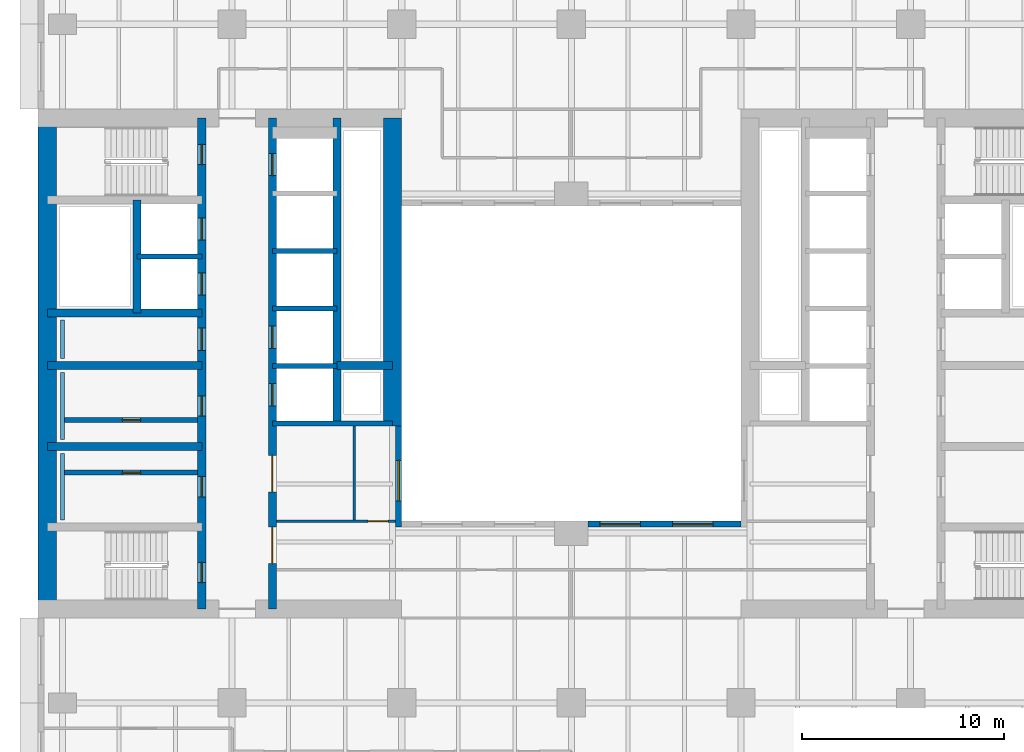
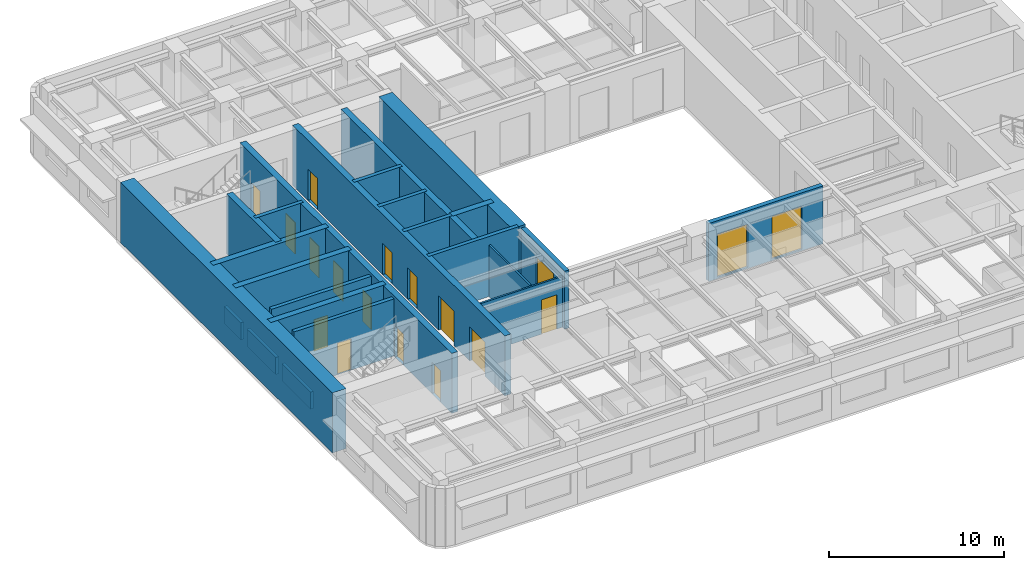
# One storey, part 4 of 11: 24 walls, 15 doors, 3 windows, 18 openings.
"""IFC4 building model written with IfcOpenShell, lengths in metres."""

from ifc_helpers import new_model, si_unit, direction, frame, frame_2d, origin, place, context, subcontext, project, spatial, rectangle, extrude, material, layer, layer_set, type_object, element, fill, save


model = new_model("IFC4")

# Units and contexts
model_context = context("Model", 3, precision=1e-05, world=origin(), true_north=direction((0.0, 1.0)))
body_context = subcontext(model_context, "Body", "Model", "MODEL_VIEW")
ifc_project = project(units=[si_unit("LENGTHUNIT", "METRE"), si_unit("AREAUNIT", "SQUARE_METRE"), si_unit("VOLUMEUNIT", "CUBIC_METRE"), si_unit("PLANEANGLEUNIT", "RADIAN"), si_unit("MASSUNIT", "GRAM", prefix="KILO")], contexts=[model_context])

# Site, building, storey
site_placement = place(None, origin())
site = spatial("IfcSite", under=ifc_project, at=site_placement, CompositionType="ELEMENT")
building_placement = place(site_placement, origin())
building = spatial("IfcBuilding", under=site, at=building_placement, Name="Claustro Exchange Tower", CompositionType="ELEMENT")
storey_placement = place(building_placement, frame((0.0, 0.0, 121.800048828125)))
storey = spatial("IfcBuildingStorey", under=building, at=storey_placement, Name="L27", CompositionType="ELEMENT", Elevation=121.800048828125)

# Wall, opening, door
ifc_material_1 = material(Name="Laminated glass in aluminium frame", Category="aluminium")
ifc_layer_1 = layer(ifc_material_1, 0.1201171875)
ifc_layer_set_1 = layer_set([ifc_layer_1], Name="Laminated glass in aluminium frame")
wall_type_1 = type_object("IfcWallType", Name="P2 120 glazed partition", PredefinedType="PARTITIONING", material=ifc_layer_set_1)
wall_1_placement = place(storey_placement, frame((10.597900390625, 17.39990234375, 0.0), z_axis=(0.0, 0.0, 1.0), x_axis=(1.0, 0.0, 0.0)))
wall_1 = element("IfcWall", 1, at=wall_1_placement, inside=storey, type_object=wall_type_1, Name="Partition P2 L27", PredefinedType="PARTITIONING", context=body_context, shape_type="SweptSolid", body=[
    extrude(rectangle(XDim=5.904052734375, YDim=0.1201171875, at=frame_2d((2.9521484375, 0.0))), origin(), (0.0, 0.0, 1.0), 3.550048828125),
])
opening_1_placement = place(wall_1_placement, frame((4.52392578125, 0.0, 0.0)))
opening_1 = element("IfcOpeningElement", 2, at=opening_1_placement, cuts=wall_1, Name="Opening D7", PredefinedType="OPENING", context=body_context, shape_type="SweptSolid", body=[
    extrude(rectangle(XDim=1.0, YDim=2.39990234375, at=frame_2d((0.5, 1.199951171875))), frame((0.0, 0.070068359375, 0.0), z_axis=(0.0, -1.0, 0.0), x_axis=(1.0, 0.0, 0.0)), (0.0, 0.0, 1.0), 0.14013671875),
])
ifc_material_2 = material(Name="Glass door in aluminium frame", Category="aluminium")
door_type_1 = type_object("IfcDoorType", Name="D7 1000 x 2400 glazed door", OperationType="SINGLE_SWING_LEFT", PredefinedType="DOOR", material=ifc_material_2)
door_1_placement = place(opening_1_placement, origin())
door_1 = element("IfcDoor", 3, at=door_1_placement, inside=storey, type_object=door_type_1, Name="Door D7 L27", OperationType="SINGLE_SWING_LEFT", OverallHeight=2.39990234375, OverallWidth=1.0, PredefinedType="DOOR", context=body_context, shape_type="SweptSolid", body=[
    extrude(rectangle(XDim=1.0, YDim=2.39990234375, at=frame_2d((0.5, 1.199951171875))), frame((0.0, 0.02490234375, 0.0), z_axis=(0.0, -1.0, 0.0), x_axis=(1.0, 0.0, 0.0)), (0.0, 0.0, 1.0), 0.050048828125),
])
fill(opening_1, door_1)

# Wall
wall_2_placement = place(storey_placement, frame((14.444091796875, 17.4580078125, 0.0), z_axis=(0.0, 0.0, 1.0), x_axis=(0.0, 1.0, 0.0)))
element("IfcWall", 4, at=wall_2_placement, inside=storey, type_object=wall_type_1, Name="Partition P2 L27", PredefinedType="PARTITIONING", context=body_context, shape_type="SweptSolid", body=[
    extrude(rectangle(XDim=4.64404296875, YDim=0.1201171875, at=frame_2d((2.322021484375, 0.0))), origin(), (0.0, 0.0, 1.0), 3.599853515625),
])

# Wall, opening, door
ifc_material_3 = material(Name="Concrete blockwork, rendered", Category="masonry")
ifc_layer_2 = layer(ifc_material_3, 0.25)
ifc_layer_set_2 = layer_set([ifc_layer_2], Name="Concrete blockwork, rendered")
wall_type_2 = type_object("IfcWallType", Name="P4 250 blockwork wall", PredefinedType="PARTITIONING", material=ifc_layer_set_2)
wall_3_placement = place(storey_placement, frame((0.10009765625, 22.39990234375, 0.0), z_axis=(0.0, 0.0, 1.0), x_axis=(1.0, 0.0, 0.0)))
wall_3 = element("IfcWall", 5, at=wall_3_placement, inside=storey, type_object=wall_type_2, Name="Partition P4 L27", PredefinedType="PARTITIONING", context=body_context, shape_type="SweptSolid", body=[
    extrude(rectangle(XDim=6.599853515625, YDim=0.25, at=frame_2d((3.2998046875, 0.0))), origin(), (0.0, 0.0, 1.0), 4.0),
])
opening_2_placement = place(wall_3_placement, frame((2.875, 0.0, 0.0)))
opening_2 = element("IfcOpeningElement", 6, at=opening_2_placement, cuts=wall_3, Name="Opening D5", PredefinedType="OPENING", context=body_context, shape_type="SweptSolid", body=[
    extrude(rectangle(XDim=0.89990234375, YDim=2.199951171875, at=frame_2d((0.449951171875, 1.10009765625))), frame((0.0, 0.135009765625, 0.0), z_axis=(0.0, -1.0, 0.0), x_axis=(1.0, 0.0, 0.0)), (0.0, 0.0, 1.0), 0.27001953125),
])
ifc_material_4 = material(Name="Steel door, painted", Category="steel")
door_type_2 = type_object("IfcDoorType", Name="D5 900 x 2200 store door", OperationType="SINGLE_SWING_LEFT", PredefinedType="DOOR", material=ifc_material_4)
door_2_placement = place(opening_2_placement, frame((0.89990234375, 0.0, 0.0), z_axis=(0.0, 0.0, 1.0), x_axis=(-1.0, 0.0, 0.0)))
door_2 = element("IfcDoor", 7, at=door_2_placement, inside=storey, type_object=door_type_2, Name="Store door D5 L27", OperationType="SINGLE_SWING_RIGHT", OverallHeight=2.199951171875, OverallWidth=0.89990234375, PredefinedType="DOOR", context=body_context, shape_type="SweptSolid", body=[
    extrude(rectangle(XDim=0.89990234375, YDim=2.199951171875, at=frame_2d((0.449951171875, 1.10009765625))), frame((0.0, 0.02490234375, 0.0), z_axis=(0.0, -1.0, 0.0), x_axis=(1.0, 0.0, 0.0)), (0.0, 0.0, 1.0), 0.050048828125),
])
fill(opening_2, door_2)

wall_4_placement = place(storey_placement, frame((0.10009765625, 19.800048828125, 0.0), z_axis=(0.0, 0.0, 1.0), x_axis=(1.0, 0.0, 0.0)))
wall_4 = element("IfcWall", 8, at=wall_4_placement, inside=storey, type_object=wall_type_2, Name="Partition P4 L27", PredefinedType="PARTITIONING", context=body_context, shape_type="SweptSolid", body=[
    extrude(rectangle(XDim=6.599853515625, YDim=0.25, at=frame_2d((3.2998046875, 0.0))), origin(), (0.0, 0.0, 1.0), 4.0),
])
opening_3_placement = place(wall_4_placement, frame((2.875, 0.0, 0.0)))
opening_3 = element("IfcOpeningElement", 9, at=opening_3_placement, cuts=wall_4, Name="Opening D5", PredefinedType="OPENING", context=body_context, shape_type="SweptSolid", body=[
    extrude(rectangle(XDim=0.89990234375, YDim=2.199951171875, at=frame_2d((0.449951171875, 1.10009765625))), frame((0.0, 0.135009765625, 0.0), z_axis=(0.0, -1.0, 0.0), x_axis=(1.0, 0.0, 0.0)), (0.0, 0.0, 1.0), 0.27001953125),
])
door_3_placement = place(opening_3_placement, origin())
door_3 = element("IfcDoor", 10, at=door_3_placement, inside=storey, type_object=door_type_2, Name="Store door D5 L27", OperationType="SINGLE_SWING_LEFT", OverallHeight=2.199951171875, OverallWidth=0.89990234375, PredefinedType="DOOR", context=body_context, shape_type="SweptSolid", body=[
    extrude(rectangle(XDim=0.89990234375, YDim=2.199951171875, at=frame_2d((0.449951171875, 1.10009765625))), frame((0.0, 0.02490234375, 0.0), z_axis=(0.0, -1.0, 0.0), x_axis=(1.0, 0.0, 0.0)), (0.0, 0.0, 1.0), 0.050048828125),
])
fill(opening_3, door_3)

# Wall, opening, window
ifc_material_5 = material(Name="Concrete HA-40 (C40/50), precast, white cement, acid-etched", Category="concrete")
ifc_layer_3 = layer(ifc_material_5, 0.300048828125)
ifc_layer_set_3 = layer_set([ifc_layer_3], Name="Concrete HA-40 (C40/50), precast, white cement, acid-etched")
wall_type_3 = type_object("IfcWallType", Name="PC1 300 precast concrete pier panel", PredefinedType="SOLIDWALL", material=ifc_layer_set_3)
wall_5_placement = place(storey_placement, frame((16.64990234375, 17.10009765625, 0.0), z_axis=(0.0, 0.0, 1.0), x_axis=(0.0, 1.0, 0.0)))
wall_5 = element("IfcWall", 11, at=wall_5_placement, inside=storey, type_object=wall_type_3, Name="Precast pier panel PC1 L27", PredefinedType="SOLIDWALL", context=body_context, shape_type="SweptSolid", body=[
    extrude(rectangle(XDim=5.0, YDim=0.300048828125, at=frame_2d((2.5, 0.0))), origin(), (0.0, 0.0, 1.0), 4.050048828125),
])
opening_4_placement = place(wall_5_placement, frame((1.300048828125, 0.0, 0.10009765625)))
opening_4 = element("IfcOpeningElement", 12, at=opening_4_placement, cuts=wall_5, Name="Opening W-A", PredefinedType="OPENING", context=body_context, shape_type="SweptSolid", body=[
    extrude(rectangle(XDim=2.0, YDim=3.0, at=frame_2d((1.0, 1.5))), frame((0.0, 0.159912109375, 0.0), z_axis=(0.0, -1.0, 0.0), x_axis=(1.0, 0.0, 0.0)), (0.0, 0.0, 1.0), 0.320068359375),
])
ifc_material_6 = material(Name="Aluminium frame, clear double glazing", Category="aluminium")
window_type = type_object("IfcWindowType", Name="W-A 2000 x 3000 arcade window", PartitioningType="SINGLE_PANEL", PredefinedType="WINDOW", material=ifc_material_6)
window_1_placement = place(opening_4_placement, origin())
window_1 = element("IfcWindow", 13, at=window_1_placement, inside=storey, type_object=window_type, Name="Window W-A L27", OverallHeight=3.0, OverallWidth=2.0, PartitioningType="SINGLE_PANEL", PredefinedType="WINDOW", context=body_context, shape_type="SweptSolid", body=[
    extrude(rectangle(XDim=2.0, YDim=3.0, at=frame_2d((1.0, 1.5))), frame((0.0, 0.030029296875, 0.0), z_axis=(0.0, -1.0, 0.0), x_axis=(1.0, 0.0, 0.0)), (0.0, 0.0, 1.0), 0.06005859375),
])
fill(opening_4, window_1)

# Wall, openings, windows
wall_6_placement = place(storey_placement, frame((26.02490234375, 17.25, 0.0), z_axis=(0.0, 0.0, 1.0), x_axis=(1.0, 0.0, 0.0)))
wall_6 = element("IfcWall", 14, at=wall_6_placement, inside=storey, type_object=wall_type_3, Name="Precast pier panel PC1 L27", PredefinedType="SOLIDWALL", context=body_context, shape_type="SweptSolid", body=[
    extrude(rectangle(XDim=7.5751953125, YDim=0.300048828125, at=frame_2d((3.78759765625, 0.0))), origin(), (0.0, 0.0, 1.0), 4.050048828125),
])
opening_5_placement = place(wall_6_placement, frame((0.58740234375, 0.0, 0.10009765625)))
opening_5 = element("IfcOpeningElement", 15, at=opening_5_placement, cuts=wall_6, Name="Opening W-A", PredefinedType="OPENING", context=body_context, shape_type="SweptSolid", body=[
    extrude(rectangle(XDim=2.0, YDim=3.0, at=frame_2d((1.0, 1.5))), frame((0.0, 0.159912109375, 0.0), z_axis=(0.0, -1.0, 0.0), x_axis=(1.0, 0.0, 0.0)), (0.0, 0.0, 1.0), 0.320068359375),
])
opening_6_placement = place(wall_6_placement, frame((4.1875, 0.0, 0.10009765625)))
opening_6 = element("IfcOpeningElement", 16, at=opening_6_placement, cuts=wall_6, Name="Opening W-A", PredefinedType="OPENING", context=body_context, shape_type="SweptSolid", body=[
    extrude(rectangle(XDim=2.0, YDim=3.0, at=frame_2d((1.0, 1.5))), frame((0.0, 0.159912109375, 0.0), z_axis=(0.0, -1.0, 0.0), x_axis=(1.0, 0.0, 0.0)), (0.0, 0.0, 1.0), 0.320068359375),
])
window_2_placement = place(opening_5_placement, origin())
window_2 = element("IfcWindow", 17, at=window_2_placement, inside=storey, type_object=window_type, Name="Window W-A L27", OverallHeight=3.0, OverallWidth=2.0, PartitioningType="SINGLE_PANEL", PredefinedType="WINDOW", context=body_context, shape_type="SweptSolid", body=[
    extrude(rectangle(XDim=2.0, YDim=3.0, at=frame_2d((1.0, 1.5))), frame((0.0, 0.030029296875, 0.0), z_axis=(0.0, -1.0, 0.0), x_axis=(1.0, 0.0, 0.0)), (0.0, 0.0, 1.0), 0.06005859375),
])
fill(opening_5, window_2)
window_3_placement = place(opening_6_placement, origin())
window_3 = element("IfcWindow", 18, at=window_3_placement, inside=storey, type_object=window_type, Name="Window W-A L27", OverallHeight=3.0, OverallWidth=2.0, PartitioningType="SINGLE_PANEL", PredefinedType="WINDOW", context=body_context, shape_type="SweptSolid", body=[
    extrude(rectangle(XDim=2.0, YDim=3.0, at=frame_2d((1.0, 1.5))), frame((0.0, 0.030029296875, 0.0), z_axis=(0.0, -1.0, 0.0), x_axis=(1.0, 0.0, 0.0)), (0.0, 0.0, 1.0), 0.06005859375),
])
fill(opening_6, window_3)

# Walls
ifc_material_7 = material(Name="Gypsum board on steel studs, tiled", Category="steel")
ifc_layer_4 = layer(ifc_material_7, 0.199951171875)
ifc_layer_set_4 = layer_set([ifc_layer_4], Name="Gypsum board on steel studs, tiled")
wall_type_4 = type_object("IfcWallType", Name="PW1 200 WC duct wall", PredefinedType="PLUMBINGWALL", material=ifc_layer_set_4)
for number, where, z_axis, x_axis, name in (
    (19, (0.0, 17.449951171875, 0.0), (0.0, 0.0, 1.0), (0.0, 1.0, 0.0), "WC duct wall PW1 L27"),
    (20, (0.0, 21.449951171875, 0.0), (0.0, 0.0, 1.0), (0.0, 1.0, 0.0), "WC duct wall PW1 L27"),
):
    element("IfcWall", number, at=place(storey_placement, frame(where, z_axis=z_axis, x_axis=x_axis)), inside=storey, type_object=wall_type_4, Name=name, PredefinedType="PLUMBINGWALL", context=body_context, shape_type="SweptSolid", body=[
        extrude(rectangle(XDim=3.300048828125, YDim=0.199951171875, at=frame_2d((1.64990234375, 0.0))), origin(), (0.0, 0.0, 1.0), 1.199951171875),
    ])
wall_7_placement = place(storey_placement, frame((0.0, 25.449951171875, 0.0), z_axis=(0.0, 0.0, 1.0), x_axis=(0.0, 1.0, 0.0)))
element("IfcWall", 21, at=wall_7_placement, inside=storey, type_object=wall_type_4, Name="WC duct wall PW1 L27", PredefinedType="PLUMBINGWALL", context=body_context, shape_type="SweptSolid", body=[
    extrude(rectangle(XDim=1.900146484375, YDim=0.199951171875, at=frame_2d((0.9501953125, 0.0))), origin(), (0.0, 0.0, 1.0), 1.199951171875),
])
ifc_material_8 = material(Name="Concrete HA-70 (C70/85)", Category="concrete")
ifc_layer_5 = layer(ifc_material_8, 0.89990234375)
ifc_layer_set_5 = layer_set([ifc_layer_5], Name="Concrete HA-70 (C70/85)")
wall_type_5 = type_object("IfcWallType", Name="SW1X 900 exposed core shear wall, board-marked face", PredefinedType="SHEAR", material=ifc_layer_set_5)
wall_8_placement = place(storey_placement, frame((-0.75, 13.050048828125, 0.0), z_axis=(0.0, 0.0, 1.0), x_axis=(0.0, 1.0, 0.0)))
element("IfcWall", 22, at=wall_8_placement, inside=storey, type_object=wall_type_5, Name="Core wall SW1X W core W face L27", PredefinedType="SHEAR", context=body_context, shape_type="SweptSolid", body=[
    extrude(rectangle(XDim=24.300048828125, YDim=0.89990234375, at=frame_2d((12.14990234375, 0.0))), origin(), (0.0, 0.0, 1.0), 4.199951171875),
])
wall_9_placement = place(storey_placement, frame((16.35009765625, 22.10009765625, 0.0), z_axis=(0.0, 0.0, 1.0), x_axis=(0.0, 1.0, 0.0)))
element("IfcWall", 23, at=wall_9_placement, inside=storey, type_object=wall_type_5, Name="Core wall SW1X W core E face L27", PredefinedType="SHEAR", context=body_context, shape_type="SweptSolid", body=[
    extrude(rectangle(XDim=15.25, YDim=0.89990234375, at=frame_2d((7.625, 0.0))), origin(), (0.0, 0.0, 1.0), 4.199951171875),
])

# Wall, openings, doors
ifc_material_9 = material(Name="Concrete HA-50 (C50/60)", Category="concrete")
ifc_layer_6 = layer(ifc_material_9, 0.39990234375)
ifc_layer_set_6 = layer_set([ifc_layer_6], Name="Concrete HA-50 (C50/60)")
wall_type_6 = type_object("IfcWallType", Name="SW4 400 internal core wall", PredefinedType="SHEAR", material=ifc_layer_set_6)
wall_10_placement = place(storey_placement, frame((6.89990234375, 13.050048828125, 0.0), z_axis=(0.0, 0.0, 1.0), x_axis=(0.0, 1.0, 0.0)))
wall_10 = element("IfcWall", 24, at=wall_10_placement, inside=storey, type_object=wall_type_6, Name="Internal core wall SW4 W core L27", PredefinedType="SHEAR", context=body_context, shape_type="SweptSolid", body=[
    extrude(rectangle(XDim=24.300048828125, YDim=0.39990234375, at=frame_2d((12.14990234375, 0.0))), origin(), (0.0, 0.0, 1.0), 4.199951171875),
])
opening_7_placement = place(wall_10_placement, frame((1.300048828125, 0.0, 0.0)))
opening_7 = element("IfcOpeningElement", 25, at=opening_7_placement, cuts=wall_10, Name="Opening D4", PredefinedType="OPENING", context=body_context, shape_type="SweptSolid", body=[
    extrude(rectangle(XDim=1.0, YDim=2.199951171875, at=frame_2d((0.5, 1.10009765625))), frame((0.0, 0.2099609375, 0.0), z_axis=(0.0, -1.0, 0.0), x_axis=(1.0, 0.0, 0.0)), (0.0, 0.0, 1.0), 0.419921875),
])
opening_8_placement = place(wall_10_placement, frame((22.0, 0.0, 0.0)))
opening_8 = element("IfcOpeningElement", 26, at=opening_8_placement, cuts=wall_10, Name="Opening D4", PredefinedType="OPENING", context=body_context, shape_type="SweptSolid", body=[
    extrude(rectangle(XDim=1.0, YDim=2.199951171875, at=frame_2d((0.5, 1.10009765625))), frame((0.0, 0.2099609375, 0.0), z_axis=(0.0, -1.0, 0.0), x_axis=(1.0, 0.0, 0.0)), (0.0, 0.0, 1.0), 0.419921875),
])
opening_9_placement = place(wall_10_placement, frame((5.550048828125, 0.0, 0.0)))
opening_9 = element("IfcOpeningElement", 27, at=opening_9_placement, cuts=wall_10, Name="Opening D1", PredefinedType="OPENING", context=body_context, shape_type="SweptSolid", body=[
    extrude(rectangle(XDim=1.0, YDim=2.199951171875, at=frame_2d((0.5, 1.10009765625))), frame((0.0, 0.2099609375, 0.0), z_axis=(0.0, -1.0, 0.0), x_axis=(1.0, 0.0, 0.0)), (0.0, 0.0, 1.0), 0.419921875),
])
opening_10_placement = place(wall_10_placement, frame((9.550048828125, 0.0, 0.0)))
opening_10 = element("IfcOpeningElement", 28, at=opening_10_placement, cuts=wall_10, Name="Opening D1", PredefinedType="OPENING", context=body_context, shape_type="SweptSolid", body=[
    extrude(rectangle(XDim=1.0, YDim=2.199951171875, at=frame_2d((0.5, 1.10009765625))), frame((0.0, 0.2099609375, 0.0), z_axis=(0.0, -1.0, 0.0), x_axis=(1.0, 0.0, 0.0)), (0.0, 0.0, 1.0), 0.419921875),
])
opening_11_placement = place(wall_10_placement, frame((12.800048828125, 0.0, 0.0)))
opening_11 = element("IfcOpeningElement", 29, at=opening_11_placement, cuts=wall_10, Name="Opening D10", PredefinedType="OPENING", context=body_context, shape_type="SweptSolid", body=[
    extrude(rectangle(XDim=1.10009765625, YDim=2.199951171875, at=frame_2d((0.550048828125, 1.10009765625))), frame((0.0, 0.2099609375, 0.0), z_axis=(0.0, -1.0, 0.0), x_axis=(1.0, 0.0, 0.0)), (0.0, 0.0, 1.0), 0.419921875),
])
opening_12_placement = place(wall_10_placement, frame((15.53759765625, 0.0, 0.0)))
opening_12 = element("IfcOpeningElement", 30, at=opening_12_placement, cuts=wall_10, Name="Opening LD", PredefinedType="OPENING", context=body_context, shape_type="SweptSolid", body=[
    extrude(rectangle(XDim=1.10009765625, YDim=2.199951171875, at=frame_2d((0.550048828125, 1.10009765625))), frame((0.0, 0.2099609375, 0.0), z_axis=(0.0, -1.0, 0.0), x_axis=(1.0, 0.0, 0.0)), (0.0, 0.0, 1.0), 0.419921875),
])
opening_13_placement = place(wall_10_placement, frame((18.262451171875, 0.0, 0.0)))
opening_13 = element("IfcOpeningElement", 31, at=opening_13_placement, cuts=wall_10, Name="Opening LD", PredefinedType="OPENING", context=body_context, shape_type="SweptSolid", body=[
    extrude(rectangle(XDim=1.10009765625, YDim=2.199951171875, at=frame_2d((0.550048828125, 1.10009765625))), frame((0.0, 0.2099609375, 0.0), z_axis=(0.0, -1.0, 0.0), x_axis=(1.0, 0.0, 0.0)), (0.0, 0.0, 1.0), 0.419921875),
])
ifc_material_10 = material(Name="Timber door, oak veneer", Category="wood")
door_type_3 = type_object("IfcDoorType", Name="D1 1000 x 2200 single door", OperationType="SINGLE_SWING_LEFT", PredefinedType="DOOR", material=ifc_material_10)
door_4_placement = place(opening_9_placement, origin())
door_4 = element("IfcDoor", 32, at=door_4_placement, inside=storey, type_object=door_type_3, Name="Door D1 L27", OperationType="SINGLE_SWING_RIGHT", OverallHeight=2.199951171875, OverallWidth=1.0, PredefinedType="DOOR", context=body_context, shape_type="SweptSolid", body=[
    extrude(rectangle(XDim=1.0, YDim=2.199951171875, at=frame_2d((0.5, 1.10009765625))), frame((0.0, 0.02490234375, 0.0), z_axis=(0.0, -1.0, 0.0), x_axis=(1.0, 0.0, 0.0)), (0.0, 0.0, 1.0), 0.050048828125),
])
fill(opening_9, door_4)
door_5_placement = place(opening_10_placement, origin())
door_5 = element("IfcDoor", 33, at=door_5_placement, inside=storey, type_object=door_type_3, Name="Door D1 L27", OperationType="SINGLE_SWING_LEFT", OverallHeight=2.199951171875, OverallWidth=1.0, PredefinedType="DOOR", context=body_context, shape_type="SweptSolid", body=[
    extrude(rectangle(XDim=1.0, YDim=2.199951171875, at=frame_2d((0.5, 1.10009765625))), frame((0.0, 0.02490234375, 0.0), z_axis=(0.0, -1.0, 0.0), x_axis=(1.0, 0.0, 0.0)), (0.0, 0.0, 1.0), 0.050048828125),
])
fill(opening_10, door_5)
ifc_material_11 = material(Name="Timber door, oak veneer", Category="wood")
door_type_4 = type_object("IfcDoorType", Name="D10 1100 x 2200 accessible WC door", OperationType="SINGLE_SWING_LEFT", PredefinedType="DOOR", material=ifc_material_11)
door_6_placement = place(opening_11_placement, frame((1.10009765625, 0.0, 0.0), z_axis=(0.0, 0.0, 1.0), x_axis=(-1.0, 0.0, 0.0)))
door_6 = element("IfcDoor", 34, at=door_6_placement, inside=storey, type_object=door_type_4, Name="Accessible WC door D10 L27", OperationType="SINGLE_SWING_LEFT", OverallHeight=2.199951171875, OverallWidth=1.10009765625, PredefinedType="DOOR", context=body_context, shape_type="SweptSolid", body=[
    extrude(rectangle(XDim=1.10009765625, YDim=2.199951171875, at=frame_2d((0.550048828125, 1.10009765625))), frame((0.0, 0.02490234375, 0.0), z_axis=(0.0, -1.0, 0.0), x_axis=(1.0, 0.0, 0.0)), (0.0, 0.0, 1.0), 0.050048828125),
])
fill(opening_11, door_6)
ifc_material_12 = material(Name="Steel fire door, painted", Category="steel")
door_type_5 = type_object("IfcDoorType", Name="D4 1000 x 2200 fire-rated stair door", OperationType="SINGLE_SWING_LEFT", PredefinedType="DOOR", material=ifc_material_12)
door_7_placement = place(opening_7_placement, origin())
door_7 = element("IfcDoor", 35, at=door_7_placement, inside=storey, type_object=door_type_5, Name="Stair door D4 L27", OperationType="SINGLE_SWING_LEFT", OverallHeight=2.199951171875, OverallWidth=1.0, PredefinedType="DOOR", context=body_context, shape_type="SweptSolid", body=[
    extrude(rectangle(XDim=1.0, YDim=2.199951171875, at=frame_2d((0.5, 1.10009765625))), frame((0.0, 0.02490234375, 0.0), z_axis=(0.0, -1.0, 0.0), x_axis=(1.0, 0.0, 0.0)), (0.0, 0.0, 1.0), 0.050048828125),
])
fill(opening_7, door_7)
door_8_placement = place(opening_8_placement, origin())
door_8 = element("IfcDoor", 36, at=door_8_placement, inside=storey, type_object=door_type_5, Name="Stair door D4 L27", OperationType="SINGLE_SWING_RIGHT", OverallHeight=2.199951171875, OverallWidth=1.0, PredefinedType="DOOR", context=body_context, shape_type="SweptSolid", body=[
    extrude(rectangle(XDim=1.0, YDim=2.199951171875, at=frame_2d((0.5, 1.10009765625))), frame((0.0, 0.02490234375, 0.0), z_axis=(0.0, -1.0, 0.0), x_axis=(1.0, 0.0, 0.0)), (0.0, 0.0, 1.0), 0.050048828125),
])
fill(opening_8, door_8)
ifc_material_13 = material(Name="Stainless steel sliding door", Category="steel")
door_type_6 = type_object("IfcDoorType", Name="LD 1100 x 2200 lift landing door", OperationType="DOUBLE_DOOR_SLIDING", PredefinedType="DOOR", material=ifc_material_13)
door_9_placement = place(opening_12_placement, origin())
door_9 = element("IfcDoor", 37, at=door_9_placement, inside=storey, type_object=door_type_6, Name="Lift landing door LEW1 LD L27", OperationType="DOUBLE_DOOR_SLIDING", OverallHeight=2.199951171875, OverallWidth=1.10009765625, PredefinedType="DOOR", context=body_context, shape_type="SweptSolid", body=[
    extrude(rectangle(XDim=1.10009765625, YDim=2.199951171875, at=frame_2d((0.550048828125, 1.10009765625))), frame((0.0, 0.02490234375, 0.0), z_axis=(0.0, -1.0, 0.0), x_axis=(1.0, 0.0, 0.0)), (0.0, 0.0, 1.0), 0.050048828125),
])
fill(opening_12, door_9)
door_10_placement = place(opening_13_placement, origin())
door_10 = element("IfcDoor", 38, at=door_10_placement, inside=storey, type_object=door_type_6, Name="Lift landing door LEW2 LD L27", OperationType="DOUBLE_DOOR_SLIDING", OverallHeight=2.199951171875, OverallWidth=1.10009765625, PredefinedType="DOOR", context=body_context, shape_type="SweptSolid", body=[
    extrude(rectangle(XDim=1.10009765625, YDim=2.199951171875, at=frame_2d((0.550048828125, 1.10009765625))), frame((0.0, 0.02490234375, 0.0), z_axis=(0.0, -1.0, 0.0), x_axis=(1.0, 0.0, 0.0)), (0.0, 0.0, 1.0), 0.050048828125),
])
fill(opening_13, door_10)

wall_11_placement = place(storey_placement, frame((10.39990234375, 13.050048828125, 0.0), z_axis=(0.0, 0.0, 1.0), x_axis=(0.0, 1.0, 0.0)))
wall_11 = element("IfcWall", 39, at=wall_11_placement, inside=storey, type_object=wall_type_6, Name="Internal core wall SW4 W core L27", PredefinedType="SHEAR", context=body_context, shape_type="SweptSolid", body=[
    extrude(rectangle(XDim=24.300048828125, YDim=0.39990234375, at=frame_2d((12.14990234375, 0.0))), origin(), (0.0, 0.0, 1.0), 4.199951171875),
])
opening_14_placement = place(wall_11_placement, frame((10.050048828125, 0.0, 0.0)))
opening_14 = element("IfcOpeningElement", 40, at=opening_14_placement, cuts=wall_11, Name="Opening LD", PredefinedType="OPENING", context=body_context, shape_type="SweptSolid", body=[
    extrude(rectangle(XDim=1.10009765625, YDim=2.199951171875, at=frame_2d((0.550048828125, 1.10009765625))), frame((0.0, 0.2099609375, 0.0), z_axis=(0.0, -1.0, 0.0), x_axis=(1.0, 0.0, 0.0)), (0.0, 0.0, 1.0), 0.419921875),
])
opening_15_placement = place(wall_11_placement, frame((12.89990234375, 0.0, 0.0)))
opening_15 = element("IfcOpeningElement", 41, at=opening_15_placement, cuts=wall_11, Name="Opening LD", PredefinedType="OPENING", context=body_context, shape_type="SweptSolid", body=[
    extrude(rectangle(XDim=1.10009765625, YDim=2.199951171875, at=frame_2d((0.550048828125, 1.10009765625))), frame((0.0, 0.2099609375, 0.0), z_axis=(0.0, -1.0, 0.0), x_axis=(1.0, 0.0, 0.0)), (0.0, 0.0, 1.0), 0.419921875),
])
opening_16_placement = place(wall_11_placement, frame((21.449951171875, 0.0, 0.0)))
opening_16 = element("IfcOpeningElement", 42, at=opening_16_placement, cuts=wall_11, Name="Opening LD", PredefinedType="OPENING", context=body_context, shape_type="SweptSolid", body=[
    extrude(rectangle(XDim=1.10009765625, YDim=2.199951171875, at=frame_2d((0.550048828125, 1.10009765625))), frame((0.0, 0.2099609375, 0.0), z_axis=(0.0, -1.0, 0.0), x_axis=(1.0, 0.0, 0.0)), (0.0, 0.0, 1.0), 0.419921875),
])
opening_17_placement = place(wall_11_placement, frame((2.25, 0.0, 0.0)))
opening_17 = element("IfcOpeningElement", 43, at=opening_17_placement, cuts=wall_11, Name="Opening D3", PredefinedType="OPENING", context=body_context, shape_type="SweptSolid", body=[
    extrude(rectangle(XDim=1.800048828125, YDim=2.39990234375, at=frame_2d((0.89990234375, 1.199951171875))), frame((0.0, 0.2099609375, 0.0), z_axis=(0.0, -1.0, 0.0), x_axis=(1.0, 0.0, 0.0)), (0.0, 0.0, 1.0), 0.419921875),
])
opening_18_placement = place(wall_11_placement, frame((5.800048828125, 0.0, 0.0)))
opening_18 = element("IfcOpeningElement", 44, at=opening_18_placement, cuts=wall_11, Name="Opening D3", PredefinedType="OPENING", context=body_context, shape_type="SweptSolid", body=[
    extrude(rectangle(XDim=1.800048828125, YDim=2.39990234375, at=frame_2d((0.89990234375, 1.199951171875))), frame((0.0, 0.2099609375, 0.0), z_axis=(0.0, -1.0, 0.0), x_axis=(1.0, 0.0, 0.0)), (0.0, 0.0, 1.0), 0.419921875),
])
ifc_material_14 = material(Name="Steel fire door, painted", Category="steel")
door_type_7 = type_object("IfcDoorType", Name="D3 1800 x 2400 fire-rated lobby double door", OperationType="DOUBLE_DOOR_SINGLE_SWING", PredefinedType="DOOR", material=ifc_material_14)
door_11_placement = place(opening_17_placement, origin())
door_11 = element("IfcDoor", 45, at=door_11_placement, inside=storey, type_object=door_type_7, Name="Core zone door D3 L27", OperationType="DOUBLE_DOOR_SINGLE_SWING", OverallHeight=2.39990234375, OverallWidth=1.800048828125, PredefinedType="DOOR", context=body_context, shape_type="SweptSolid", body=[
    extrude(rectangle(XDim=1.800048828125, YDim=2.39990234375, at=frame_2d((0.89990234375, 1.199951171875))), frame((0.0, 0.02490234375, 0.0), z_axis=(0.0, -1.0, 0.0), x_axis=(1.0, 0.0, 0.0)), (0.0, 0.0, 1.0), 0.050048828125),
])
fill(opening_17, door_11)
door_12_placement = place(opening_18_placement, frame((1.800048828125, 0.0, 0.0), z_axis=(0.0, 0.0, 1.0), x_axis=(-1.0, 0.0, 0.0)))
door_12 = element("IfcDoor", 46, at=door_12_placement, inside=storey, type_object=door_type_7, Name="Core zone door D3 L27", OperationType="DOUBLE_DOOR_SINGLE_SWING", OverallHeight=2.39990234375, OverallWidth=1.800048828125, PredefinedType="DOOR", context=body_context, shape_type="SweptSolid", body=[
    extrude(rectangle(XDim=1.800048828125, YDim=2.39990234375, at=frame_2d((0.89990234375, 1.199951171875))), frame((0.0, 0.02490234375, 0.0), z_axis=(0.0, -1.0, 0.0), x_axis=(1.0, 0.0, 0.0)), (0.0, 0.0, 1.0), 0.050048828125),
])
fill(opening_18, door_12)
door_13_placement = place(opening_14_placement, origin())
door_13 = element("IfcDoor", 47, at=door_13_placement, inside=storey, type_object=door_type_6, Name="Lift landing door LMW1 LD L27", OperationType="DOUBLE_DOOR_SLIDING", OverallHeight=2.199951171875, OverallWidth=1.10009765625, PredefinedType="DOOR", context=body_context, shape_type="SweptSolid", body=[
    extrude(rectangle(XDim=1.10009765625, YDim=2.199951171875, at=frame_2d((0.550048828125, 1.10009765625))), frame((0.0, 0.02490234375, 0.0), z_axis=(0.0, -1.0, 0.0), x_axis=(1.0, 0.0, 0.0)), (0.0, 0.0, 1.0), 0.050048828125),
])
fill(opening_14, door_13)
door_14_placement = place(opening_15_placement, origin())
door_14 = element("IfcDoor", 48, at=door_14_placement, inside=storey, type_object=door_type_6, Name="Lift landing door LMW2 LD L27", OperationType="DOUBLE_DOOR_SLIDING", OverallHeight=2.199951171875, OverallWidth=1.10009765625, PredefinedType="DOOR", context=body_context, shape_type="SweptSolid", body=[
    extrude(rectangle(XDim=1.10009765625, YDim=2.199951171875, at=frame_2d((0.550048828125, 1.10009765625))), frame((0.0, 0.02490234375, 0.0), z_axis=(0.0, -1.0, 0.0), x_axis=(1.0, 0.0, 0.0)), (0.0, 0.0, 1.0), 0.050048828125),
])
fill(opening_15, door_14)
door_15_placement = place(opening_16_placement, origin())
door_15 = element("IfcDoor", 49, at=door_15_placement, inside=storey, type_object=door_type_6, Name="Lift landing door LSW1 LD L27", OperationType="DOUBLE_DOOR_SLIDING", OverallHeight=2.199951171875, OverallWidth=1.10009765625, PredefinedType="DOOR", context=body_context, shape_type="SweptSolid", body=[
    extrude(rectangle(XDim=1.10009765625, YDim=2.199951171875, at=frame_2d((0.550048828125, 1.10009765625))), frame((0.0, 0.02490234375, 0.0), z_axis=(0.0, -1.0, 0.0), x_axis=(1.0, 0.0, 0.0)), (0.0, 0.0, 1.0), 0.050048828125),
])
fill(opening_16, door_15)

# Walls
wall_12_placement = place(storey_placement, frame((13.60009765625, 22.22509765625, 0.0), z_axis=(0.0, 0.0, 1.0), x_axis=(0.0, 1.0, 0.0)))
element("IfcWall", 50, at=wall_12_placement, inside=storey, type_object=wall_type_6, Name="Internal core wall SW4 W core L27", PredefinedType="SHEAR", context=body_context, shape_type="SweptSolid", body=[
    extrude(rectangle(XDim=15.125, YDim=0.39990234375, at=frame_2d((7.5625, 0.0))), origin(), (0.0, 0.0, 1.0), 4.199951171875),
])
for number, where, z_axis, x_axis, name in (
    (51, (-0.75, 21.10009765625, 0.0), (0.0, 0.0, 1.0), (1.0, 0.0, 0.0), "Internal core wall SW4 W core L27"),
    (52, (-0.75, 25.10009765625, 0.0), (0.0, 0.0, 1.0), (1.0, 0.0, 0.0), "Internal core wall SW4 W core L27"),
    (53, (-0.75, 27.699951171875, 0.0), (0.0, 0.0, 1.0), (1.0, 0.0, 0.0), "Internal core wall SW4 W core L27"),
):
    element("IfcWall", number, at=place(storey_placement, frame(where, z_axis=z_axis, x_axis=x_axis)), inside=storey, type_object=wall_type_6, Name=name, PredefinedType="SHEAR", context=body_context, shape_type="SweptSolid", body=[
        extrude(rectangle(XDim=7.64990234375, YDim=0.39990234375, at=frame_2d((3.824951171875, 0.0))), origin(), (0.0, 0.0, 1.0), 4.199951171875),
    ])
wall_13_placement = place(storey_placement, frame((3.699951171875, 27.699951171875, 0.0), z_axis=(0.0, 0.0, 1.0), x_axis=(0.0, 1.0, 0.0)))
element("IfcWall", 54, at=wall_13_placement, inside=storey, type_object=wall_type_6, Name="Internal core wall SW4 W core L27", PredefinedType="SHEAR", context=body_context, shape_type="SweptSolid", body=[
    extrude(rectangle(XDim=5.60009765625, YDim=0.39990234375, at=frame_2d((2.800048828125, 0.0))), origin(), (0.0, 0.0, 1.0), 4.199951171875),
])
wall_14_placement = place(storey_placement, frame((13.60009765625, 25.10009765625, 0.0), z_axis=(0.0, 0.0, 1.0), x_axis=(1.0, 0.0, 0.0)))
element("IfcWall", 55, at=wall_14_placement, inside=storey, type_object=wall_type_6, Name="Internal core wall SW4 W core L27", PredefinedType="SHEAR", context=body_context, shape_type="SweptSolid", body=[
    extrude(rectangle(XDim=2.75, YDim=0.39990234375, at=frame_2d((1.375, 0.0))), origin(), (0.0, 0.0, 1.0), 4.199951171875),
])
ifc_material_15 = material(Name="Concrete HA-50 (C50/60)", Category="concrete")
ifc_layer_7 = layer(ifc_material_15, 0.25)
ifc_layer_set_7 = layer_set([ifc_layer_7], Name="Concrete HA-50 (C50/60)")
wall_type_7 = type_object("IfcWallType", Name="SW5 250 lift shaft divider wall", PredefinedType="SHEAR", material=ifc_layer_set_7)
wall_15_placement = place(storey_placement, frame((3.699951171875, 30.5, 0.0), z_axis=(0.0, 0.0, 1.0), x_axis=(1.0, 0.0, 0.0)))
element("IfcWall", 56, at=wall_15_placement, inside=storey, type_object=wall_type_7, Name="Lift shaft wall W core L27", PredefinedType="SHEAR", context=body_context, shape_type="SweptSolid", body=[
    extrude(rectangle(XDim=3.199951171875, YDim=0.25, at=frame_2d((1.60009765625, 0.0))), origin(), (0.0, 0.0, 1.0), 4.199951171875),
])
wall_16_placement = place(storey_placement, frame((10.39990234375, 22.22509765625, 0.0), z_axis=(0.0, 0.0, 1.0), x_axis=(1.0, 0.0, 0.0)))
element("IfcWall", 57, at=wall_16_placement, inside=storey, type_object=wall_type_7, Name="Core step wall W core L27", PredefinedType="SHEAR", context=body_context, shape_type="SweptSolid", body=[
    extrude(rectangle(XDim=5.9501953125, YDim=0.25, at=frame_2d((2.97509765625, 0.0))), origin(), (0.0, 0.0, 1.0), 4.199951171875),
])
for number, where, z_axis, x_axis, name in (
    (58, (10.39990234375, 25.074951171875, 0.0), (0.0, 0.0, 1.0), (1.0, 0.0, 0.0), "Lift shaft wall W core L27"),
    (59, (10.39990234375, 27.925048828125, 0.0), (0.0, 0.0, 1.0), (1.0, 0.0, 0.0), "Lift shaft wall W core L27"),
    (60, (10.39990234375, 30.77490234375, 0.0), (0.0, 0.0, 1.0), (1.0, 0.0, 0.0), "Lift shaft wall W core L27"),
):
    element("IfcWall", number, at=place(storey_placement, frame(where, z_axis=z_axis, x_axis=x_axis)), inside=storey, type_object=wall_type_7, Name=name, PredefinedType="SHEAR", context=body_context, shape_type="SweptSolid", body=[
        extrude(rectangle(XDim=3.2001953125, YDim=0.25, at=frame_2d((1.60009765625, 0.0))), origin(), (0.0, 0.0, 1.0), 4.199951171875),
    ])

save(model, "model.ifc")
